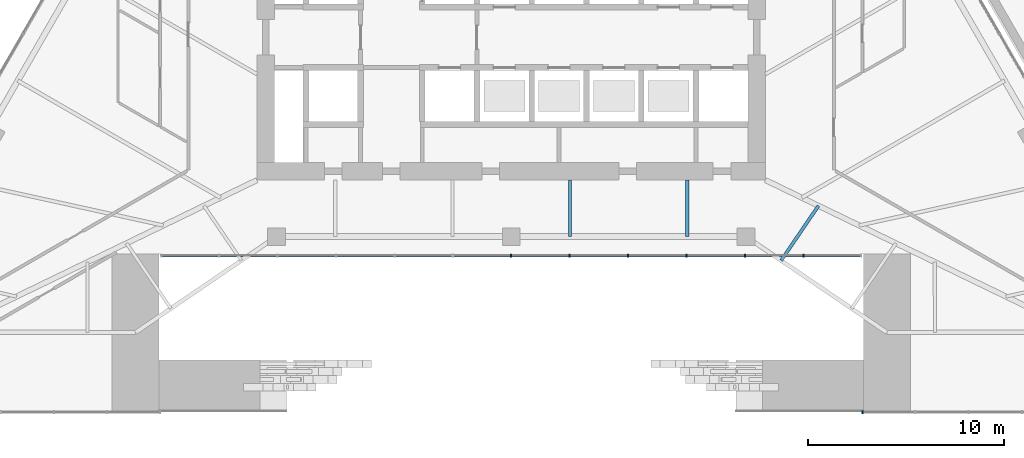
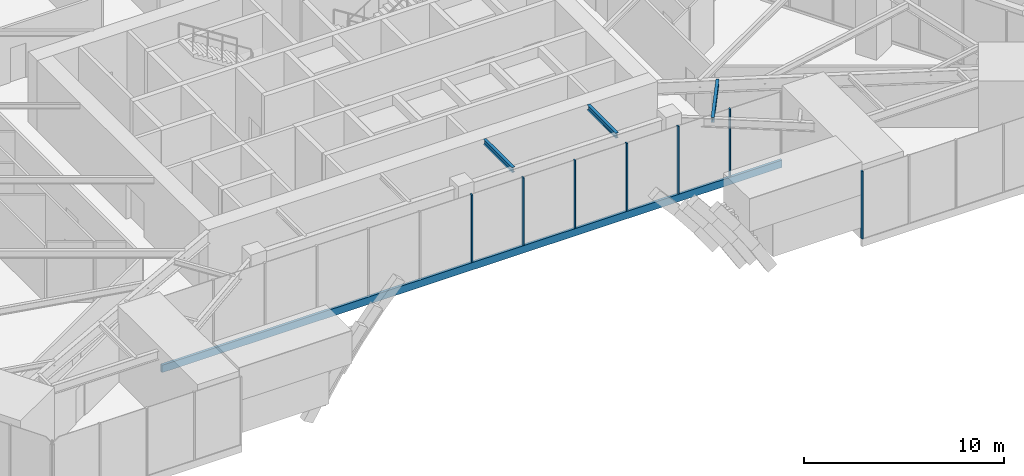
# One storey, part 6 of 29: 8 members, 3 beams, 2 elements without a shape of their own.
"""IFC4 building model written with IfcOpenShell, lengths in metres."""

import ifcopenshell
import ifcopenshell.guid

model = None  # the IFC model being written
_history = None  # IfcOwnerHistory: only IFC2X3 demands one
_inside = {}  # id of a spatial element -> (the spatial element, [elements in it])
_under = {}  # id of a project, library or spatial element -> (it, [spatial elements below it])
_declared = {}  # id of a project -> (the project, [libraries it declares])
_typed = {}  # id of a type object -> (the type object, [elements of that type])
_made_of = {}  # id of a material, layer set ... -> (it, [elements and type objects made of it])


def new_model(schema):
    """Start an empty IFC model of exactly this schema.

    Asked for "IFC4X3", IfcOpenShell would pick the latest addendum, in which some entities
    have other attributes; the version numbers below select the first issue.
    IFC2X3 requires an IfcOwnerHistory on every rooted entity: one is made here for all.
    """
    global model, _history
    if schema == "IFC4X3":
        model = ifcopenshell.file(schema_version=(4, 3, 0, 0))
    else:
        model = ifcopenshell.file(schema=schema)
    _inside.clear()
    _under.clear()
    _declared.clear()
    _typed.clear()
    _made_of.clear()
    _history = None
    if model.schema == "IFC2X3":
        org = make("IfcOrganization", Name="unknown")
        user = make(
            "IfcPersonAndOrganization",
            ThePerson=make("IfcPerson", FamilyName="unknown"),
            TheOrganization=org,
        )
        app = make(
            "IfcApplication",
            ApplicationDeveloper=org,
            Version="unknown",
            ApplicationFullName="unknown",
            ApplicationIdentifier="unknown",
        )
        _history = make(
            "IfcOwnerHistory",
            OwningUser=user,
            OwningApplication=app,
            ChangeAction="ADDED",
            CreationDate=0,
        )
    return model


def make(cls, **values):
    """One entity of the class cls with the attributes given. An attribute that is None is left unset."""
    return model.create_entity(
        cls, **{name: value for name, value in values.items() if value is not None}
    )


def rooted(cls, **values):
    """An entity with a GlobalId (a new one), such as an element, a storey or a relation."""
    return make(cls, GlobalId=ifcopenshell.guid.new(), OwnerHistory=_history, **values)


def si_unit(unit_type, name, prefix=None):
    """IfcSIUnit, for example si_unit("LENGTHUNIT", "METRE", prefix="MILLI")."""
    return make("IfcSIUnit", UnitType=unit_type, Prefix=prefix, Name=name)


def assignment(units):
    """IfcUnitAssignment: the units of a project."""
    return None if units is None else make("IfcUnitAssignment", Units=units)


def point(xyz):
    """IfcCartesianPoint."""
    return None if xyz is None else make("IfcCartesianPoint", Coordinates=xyz)


def direction(xyz):
    """IfcDirection."""
    return None if xyz is None else make("IfcDirection", DirectionRatios=xyz)


def frame(location, z_axis=None, x_axis=None):
    """IfcAxis2Placement3D, a coordinate frame: its origin and axes. An axis left out is left unset."""
    return make(
        "IfcAxis2Placement3D",
        Location=point(location),
        Axis=direction(z_axis),
        RefDirection=direction(x_axis),
    )


def frame_2d(location, x_axis=None):
    """IfcAxis2Placement2D, a coordinate frame in the plane: its origin and x axis."""
    return make(
        "IfcAxis2Placement2D", Location=point(location), RefDirection=direction(x_axis)
    )


def origin():
    """The frame at (0, 0, 0) with its axes left unset."""
    return frame((0.0, 0.0, 0.0))


def origin_2d():
    """The frame at (0, 0) in the plane with its x axis left unset."""
    return frame_2d((0.0, 0.0))


def place(relative_to, where):
    """IfcLocalPlacement: puts the frame where relative to a parent placement (None: the world)."""
    return make(
        "IfcLocalPlacement", PlacementRelTo=relative_to, RelativePlacement=where
    )


def context(
    kind, dimensions, precision=None, world=None, true_north=None, identifier=None
):
    """IfcGeometricRepresentationContext, for example the 3D "Model" context."""
    return make(
        "IfcGeometricRepresentationContext",
        ContextIdentifier=identifier,
        ContextType=kind,
        CoordinateSpaceDimension=dimensions,
        Precision=precision,
        WorldCoordinateSystem=world,
        TrueNorth=true_north,
    )


def subcontext(parent, identifier, kind, view, scale=None):
    """IfcGeometricRepresentationSubContext, for example "Body" below "Model"."""
    return make(
        "IfcGeometricRepresentationSubContext",
        ContextIdentifier=identifier,
        ContextType=kind,
        ParentContext=parent,
        TargetScale=scale,
        TargetView=view,
    )


def project(units=None, contexts=None):
    """IfcProject with its units and contexts."""
    return rooted(
        "IfcProject",
        Name="project",
        RepresentationContexts=contexts,
        UnitsInContext=assignment(units),
    )


def spatial(cls, under=None, at=None, **own):
    """A site, building, storey or space (cls), placed at a placement, below another one or the project."""
    s = rooted(cls, ObjectPlacement=at, **own)
    if under is not None:
        _under.setdefault(under.id(), (under, []))[1].append(s)
    return s


def profile(cls, at=None, kind="AREA", **sizes):
    """A parametric profile (cls). Its sizes go by their IFC names, for example OverallWidth=200.0."""
    return make(cls, ProfileType=kind, Position=at, **sizes)


def rectangle(**sizes):
    """IfcRectangleProfileDef."""
    return profile("IfcRectangleProfileDef", **sizes)


def i_section(**sizes):
    """IfcIShapeProfileDef."""
    return profile("IfcIShapeProfileDef", **sizes)


def extrude(swept, where, along, depth):
    """IfcExtrudedAreaSolid: the profile swept, set in the frame where, extruded along a direction by depth."""
    return make(
        "IfcExtrudedAreaSolid",
        SweptArea=swept,
        Position=where,
        ExtrudedDirection=direction(along),
        Depth=depth,
    )


def shape(context_of_items, identifier, shape_type, items):
    """IfcShapeRepresentation: the items that make up one representation, for example the "Body"."""
    return make(
        "IfcShapeRepresentation",
        ContextOfItems=context_of_items,
        RepresentationIdentifier=identifier,
        RepresentationType=shape_type,
        Items=items,
    )


def material(Name=None, Category=None):
    """IfcMaterial."""
    return make("IfcMaterial", Name=Name, Category=Category)


def layer(
    of_material, thickness, ventilated=None, Name=None, Category=None, Priority=None
):
    """IfcMaterialLayer: one layer of a wall or slab, of a material (None: an air gap)."""
    return make(
        "IfcMaterialLayer",
        Material=of_material,
        LayerThickness=thickness,
        IsVentilated=ventilated,
        Name=Name,
        Category=Category,
        Priority=Priority,
    )


def layer_set(layers, Name=None):
    """IfcMaterialLayerSet."""
    return make("IfcMaterialLayerSet", MaterialLayers=layers, LayerSetName=Name)


def material_profile(
    of_material, cross_section, Name=None, Category=None, Priority=None
):
    """IfcMaterialProfile: a cross section and its material."""
    return make(
        "IfcMaterialProfile",
        Name=Name,
        Material=of_material,
        Profile=cross_section,
        Priority=Priority,
        Category=Category,
    )


def profile_set(profiles, Name=None, composite=None):
    """IfcMaterialProfileSet."""
    return make(
        "IfcMaterialProfileSet",
        Name=Name,
        MaterialProfiles=profiles,
        CompositeProfile=composite,
    )


def made_of(thing, what):
    """Note that an element or type object is made of a material, layer set ...; save() writes the relation."""
    if what is not None:
        _made_of.setdefault(what.id(), (what, []))[1].append(thing)
    return thing


def type_object(cls, material=None, **own):
    """A type object (cls), such as IfcWallType, which elements share."""
    return made_of(rooted(cls, **own), material)


def element(
    cls,
    number,
    at=None,
    inside=None,
    cuts=None,
    type_object=None,
    material=None,
    context=None,
    identifier="Body",
    shape_type=None,
    held_by="IfcProductDefinitionShape",
    body=None,
    shapes=None,
    **own,
):
    """One element of the class cls, such as IfcWall. Its Tag is "e" and its number.

    at: its placement. inside: the storey or other place that contains it. cuts: it is an
    opening in that element (IfcRelVoidsElement). A single representation is given by context,
    identifier, shape_type and body (its items); several are given by shapes. held_by: the class
    of the entity that holds the representations. save() writes the other relations.
    """
    e = rooted(cls, Tag="e%d" % number, ObjectPlacement=at, **own)
    if body is not None:
        shapes = [shape(context, identifier, shape_type, body)]
    if shapes is not None:
        e.Representation = make(held_by, Representations=shapes)
    if inside is not None:
        _inside.setdefault(inside.id(), (inside, []))[1].append(e)
    if cuts is not None:
        rooted(
            "IfcRelVoidsElement", RelatingBuildingElement=cuts, RelatedOpeningElement=e
        )
    if type_object is not None:
        _typed.setdefault(type_object.id(), (type_object, []))[1].append(e)
    return made_of(e, material)


def aggregate(whole, parts):
    """IfcRelAggregates: a whole, such as a stair, and the parts it consists of."""
    return rooted("IfcRelAggregates", RelatingObject=whole, RelatedObjects=parts)


def save(model, path):
    """Write the relations noted so far, then the file.

    IfcRelAggregates (storeys below a building ...), IfcRelContainedInSpatialStructure (elements
    in a storey), IfcRelDefinesByType, IfcRelAssociatesMaterial and IfcRelDeclares: one each for
    every whole, place, type object, material and project.
    """
    for whole, parts in _under.values():
        aggregate(whole, parts)
    for where, things in _inside.values():
        rooted(
            "IfcRelContainedInSpatialStructure",
            RelatedElements=things,
            RelatingStructure=where,
        )
    for kind, things in _typed.values():
        rooted("IfcRelDefinesByType", RelatedObjects=things, RelatingType=kind)
    for what, things in _made_of.values():
        rooted("IfcRelAssociatesMaterial", RelatedObjects=things, RelatingMaterial=what)
    for by, libraries in _declared.values():
        rooted("IfcRelDeclares", RelatingContext=by, RelatedDefinitions=libraries)
    model.write(path)


model = new_model("IFC4")

# Units and contexts
model_context = context("Model", 3, precision=1e-05, world=origin(), true_north=direction((0.0, 1.0)))
body_context = subcontext(model_context, "Body", "Model", "MODEL_VIEW")
ifc_project = project(units=[si_unit("LENGTHUNIT", "METRE"), si_unit("AREAUNIT", "SQUARE_METRE"), si_unit("VOLUMEUNIT", "CUBIC_METRE"), si_unit("PLANEANGLEUNIT", "RADIAN"), si_unit("MASSUNIT", "GRAM", prefix="KILO")], contexts=[model_context])

# Site, building, storey
site_placement = place(None, origin())
site = spatial("IfcSite", under=ifc_project, at=site_placement, CompositionType="ELEMENT")
building_placement = place(site_placement, origin())
building = spatial("IfcBuilding", under=site, at=building_placement, Name="Firuza Gate Tower and Library", CompositionType="ELEMENT")
storey_placement = place(building_placement, frame((0.0, 0.0, 17.199951171875)))
storey = spatial("IfcBuildingStorey", under=building, at=storey_placement, Name="L03", CompositionType="ELEMENT", Elevation=17.199951171875)

# Curtain wall, members
ifc_material_1 = material(Name="Aluminium 6063-T6", Category="aluminium")
ifc_layer_1 = layer(ifc_material_1, 0.14990234375)
ifc_layer_set_1 = layer_set([ifc_layer_1], Name="Stick curtain wall, gate lobby")
curtain_wall_type_1 = type_object("IfcCurtainWallType", Name="Stick curtain wall, gate lobby", PredefinedType="NOTDEFINED", material=ifc_layer_set_1)
placement = place(storey_placement, origin())
curtain_wall_1 = element("IfcCurtainWall", 1, at=placement, inside=storey, type_object=curtain_wall_type_1, Name="CW7 L03 gate lobby", PredefinedType="NOTDEFINED")
ifc_material_2 = material(Name="Aluminium 6063-T6", Category="aluminium")
ifc_material_profile_1 = material_profile(ifc_material_2, rectangle(XDim=0.14990234375, YDim=0.080078125, at=origin_2d()))
ifc_profile_set_1 = profile_set([ifc_material_profile_1], Name="Aluminium 6063-T6")
member_type_1 = type_object("IfcMemberType", Name="Curtain wall mullion 80x150", PredefinedType="MULLION", material=ifc_profile_set_1)
member_1_placement = place(storey_placement, frame((75.0, 62.140380859375, 0.150146484375), z_axis=(0.0, 0.0, 1.0), x_axis=(0.0, 1.0, 0.0)))
member_1 = element("IfcMember", 2, at=member_1_placement, type_object=member_type_1, Name="Mullion", PredefinedType="MULLION", context=body_context, shape_type="SweptSolid", body=[
    extrude(rectangle(XDim=0.14990234375, YDim=0.080078125, at=origin_2d()), origin(), (0.0, 0.0, 1.0), 4.14990234375),
])
member_2_placement = place(storey_placement, frame((77.987548828125, 62.140380859375, 0.150146484375), z_axis=(0.0, 0.0, 1.0), x_axis=(0.0, 1.0, 0.0)))
member_2 = element("IfcMember", 3, at=member_2_placement, type_object=member_type_1, Name="Mullion", PredefinedType="MULLION", context=body_context, shape_type="SweptSolid", body=[
    extrude(rectangle(XDim=0.14990234375, YDim=0.080078125, at=origin_2d()), origin(), (0.0, 0.0, 1.0), 4.14990234375),
])
member_3_placement = place(storey_placement, frame((80.97509765625, 62.140380859375, 0.150146484375), z_axis=(0.0, 0.0, 1.0), x_axis=(0.0, 1.0, 0.0)))
member_3 = element("IfcMember", 4, at=member_3_placement, type_object=member_type_1, Name="Mullion", PredefinedType="MULLION", context=body_context, shape_type="SweptSolid", body=[
    extrude(rectangle(XDim=0.14990234375, YDim=0.080078125, at=origin_2d()), origin(), (0.0, 0.0, 1.0), 4.14990234375),
])
member_4_placement = place(storey_placement, frame((83.96240234375, 62.140380859375, 0.150146484375), z_axis=(0.0, 0.0, 1.0), x_axis=(0.0, 1.0, 0.0)))
member_4 = element("IfcMember", 5, at=member_4_placement, type_object=member_type_1, Name="Mullion", PredefinedType="MULLION", context=body_context, shape_type="SweptSolid", body=[
    extrude(rectangle(XDim=0.14990234375, YDim=0.080078125, at=origin_2d()), origin(), (0.0, 0.0, 1.0), 4.14990234375),
])
member_5_placement = place(storey_placement, frame((86.949951171875, 62.140380859375, 0.150146484375), z_axis=(0.0, 0.0, 1.0), x_axis=(0.0, 1.0, 0.0)))
member_5 = element("IfcMember", 6, at=member_5_placement, type_object=member_type_1, Name="Mullion", PredefinedType="MULLION", context=body_context, shape_type="SweptSolid", body=[
    extrude(rectangle(XDim=0.14990234375, YDim=0.080078125, at=origin_2d()), origin(), (0.0, 0.0, 1.0), 4.14990234375),
])
member_6_placement = place(storey_placement, frame((89.9375, 62.140380859375, 0.150146484375), z_axis=(0.0, 0.0, 1.0), x_axis=(0.0, 1.0, 0.0)))
member_6 = element("IfcMember", 7, at=member_6_placement, type_object=member_type_1, Name="Mullion", PredefinedType="MULLION", context=body_context, shape_type="SweptSolid", body=[
    extrude(rectangle(XDim=0.14990234375, YDim=0.080078125, at=origin_2d()), origin(), (0.0, 0.0, 1.0), 4.14990234375),
])

# Curtain wall, member
ifc_material_3 = material(Name="Aluminium 6063-T6", Category="aluminium")
ifc_layer_2 = layer(ifc_material_3, 0.14990234375)
ifc_layer_set_2 = layer_set([ifc_layer_2], Name="Stick curtain wall, podium")
curtain_wall_type_2 = type_object("IfcCurtainWallType", Name="Stick curtain wall, podium", PredefinedType="NOTDEFINED", material=ifc_layer_set_2)
curtain_wall_2 = element("IfcCurtainWall", 8, at=placement, inside=storey, type_object=curtain_wall_type_2, Name="CW5 L03 S", PredefinedType="NOTDEFINED")
member_7_placement = place(storey_placement, frame((92.965087890625, 54.140380859375, 0.150146484375), z_axis=(0.0, 0.0, 1.0), x_axis=(0.0, 1.0, 0.0)))
member_7 = element("IfcMember", 9, at=member_7_placement, type_object=member_type_1, Name="Mullion", PredefinedType="MULLION", context=body_context, shape_type="SweptSolid", body=[
    extrude(rectangle(XDim=0.14990234375, YDim=0.080078125, at=origin_2d()), origin(), (0.0, 0.0, 1.0), 4.14990234375),
])
aggregate(curtain_wall_2, [member_7])

# Member
ifc_material_4 = material(Name="Aluminium 6063-T6", Category="aluminium")
ifc_material_profile_2 = material_profile(ifc_material_4, rectangle(XDim=0.14990234375, YDim=0.449951171875, at=origin_2d()))
ifc_profile_set_2 = profile_set([ifc_material_profile_2], Name="Aluminium 6063-T6")
member_type_2 = type_object("IfcMemberType", Name="Curtain wall transom 450x150", PredefinedType="USERDEFINED", material=ifc_profile_set_2)
member_8_placement = place(storey_placement, frame((57.074951171875, 62.140380859375, -0.074951171875), z_axis=(1.0, 0.0, 0.0), x_axis=(0.0, 1.0, 0.0)))
member_8 = element("IfcMember", 10, at=member_8_placement, type_object=member_type_2, Name="Transom", ObjectType="TRANSOM", PredefinedType="USERDEFINED", context=body_context, shape_type="SweptSolid", body=[
    extrude(rectangle(XDim=0.14990234375, YDim=0.449951171875, at=origin_2d()), origin(), (0.0, 0.0, 1.0), 35.85009765625),
])

aggregate(curtain_wall_1, [member_1, member_2, member_3, member_4, member_5, member_6, member_8])

# Beams
ifc_material_5 = material(Name="Steel S355", Category="steel")
ifc_material_profile_3 = material_profile(ifc_material_5, i_section(OverallWidth=0.1650390625, OverallDepth=0.31005859375, WebThickness=0.005859375, FlangeThickness=0.009765625, at=origin_2d()))
ifc_profile_set_3 = profile_set([ifc_material_profile_3], Name="Steel S355")
beam_type = type_object("IfcBeamType", Name="W310x39 Floor beam", PredefinedType="JOIST", material=ifc_profile_set_3)
for number, where, z_axis, x_axis, name in (
    (11, (78.0, 63.115478515625, 4.14501953125), (0.0, 1.0, 0.0), (-1.0, 0.0, 0.0), "Floor beam L03 s32"),
    (12, (84.0, 63.115478515625, 4.14501953125), (0.0, 1.0, 0.0), (-1.0, 0.0, 0.0), "Floor beam L03 s33"),
):
    element("IfcBeam", number, at=place(storey_placement, frame(where, z_axis=z_axis, x_axis=x_axis)), inside=storey, type_object=beam_type, Name=name, PredefinedType="JOIST", context=body_context, shape_type="SweptSolid", body=[
        extrude(i_section(OverallWidth=0.1650390625, OverallDepth=0.31005859375, WebThickness=0.005859375, FlangeThickness=0.009765625, at=origin_2d()), origin(), (0.0, 0.0, 1.0), 2.884521484375),
    ])
beam_placement = place(storey_placement, frame((88.800048828125, 61.890380859375, 4.14501953125), z_axis=(0.562593933168, 0.826733370781, 0.0), x_axis=(-0.826733370781, 0.562593933168, 0.0)))
element("IfcBeam", 13, at=beam_placement, inside=storey, type_object=beam_type, Name="Floor beam L03 s40", PredefinedType="JOIST", context=body_context, shape_type="SweptSolid", body=[
    extrude(i_section(OverallWidth=0.1650390625, OverallDepth=0.31005859375, WebThickness=0.005859375, FlangeThickness=0.009765625, at=origin_2d()), origin(), (0.0, 0.0, 1.0), 3.386474609375),
])

save(model, "model.ifc")
